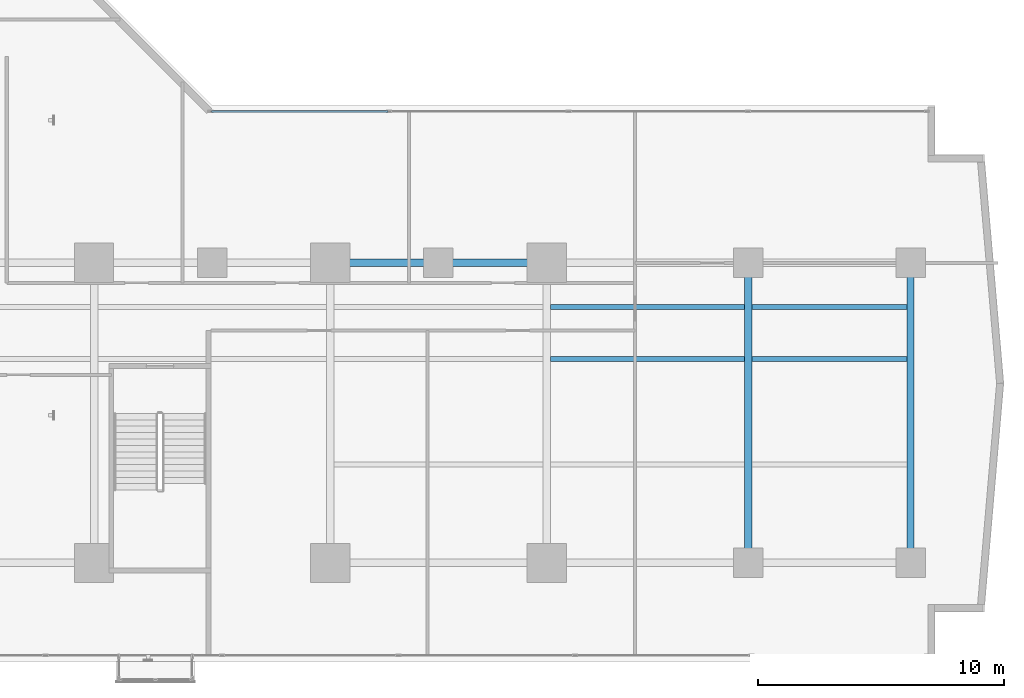
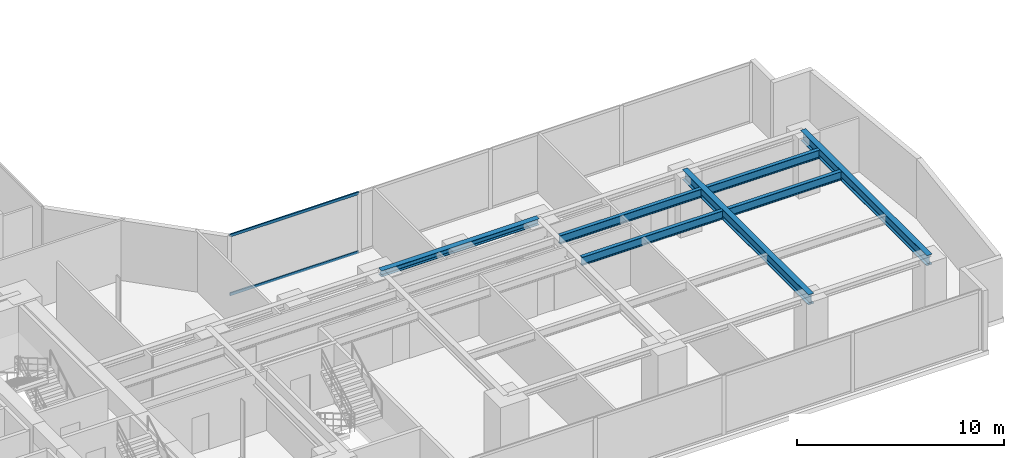
# One storey, part 12 of 26: 7 beams, 2 members, 1 element without a shape of its own.
"""IFC4 building model written with IfcOpenShell, lengths in metres."""

import ifcopenshell
import ifcopenshell.guid

model = None  # the IFC model being written
_history = None  # IfcOwnerHistory: only IFC2X3 demands one
_inside = {}  # id of a spatial element -> (the spatial element, [elements in it])
_under = {}  # id of a project, library or spatial element -> (it, [spatial elements below it])
_declared = {}  # id of a project -> (the project, [libraries it declares])
_typed = {}  # id of a type object -> (the type object, [elements of that type])
_made_of = {}  # id of a material, layer set ... -> (it, [elements and type objects made of it])


def new_model(schema):
    """Start an empty IFC model of exactly this schema.

    Asked for "IFC4X3", IfcOpenShell would pick the latest addendum, in which some entities
    have other attributes; the version numbers below select the first issue.
    IFC2X3 requires an IfcOwnerHistory on every rooted entity: one is made here for all.
    """
    global model, _history
    if schema == "IFC4X3":
        model = ifcopenshell.file(schema_version=(4, 3, 0, 0))
    else:
        model = ifcopenshell.file(schema=schema)
    _inside.clear()
    _under.clear()
    _declared.clear()
    _typed.clear()
    _made_of.clear()
    _history = None
    if model.schema == "IFC2X3":
        org = make("IfcOrganization", Name="unknown")
        user = make(
            "IfcPersonAndOrganization",
            ThePerson=make("IfcPerson", FamilyName="unknown"),
            TheOrganization=org,
        )
        app = make(
            "IfcApplication",
            ApplicationDeveloper=org,
            Version="unknown",
            ApplicationFullName="unknown",
            ApplicationIdentifier="unknown",
        )
        _history = make(
            "IfcOwnerHistory",
            OwningUser=user,
            OwningApplication=app,
            ChangeAction="ADDED",
            CreationDate=0,
        )
    return model


def make(cls, **values):
    """One entity of the class cls with the attributes given. An attribute that is None is left unset."""
    return model.create_entity(
        cls, **{name: value for name, value in values.items() if value is not None}
    )


def rooted(cls, **values):
    """An entity with a GlobalId (a new one), such as an element, a storey or a relation."""
    return make(cls, GlobalId=ifcopenshell.guid.new(), OwnerHistory=_history, **values)


def si_unit(unit_type, name, prefix=None):
    """IfcSIUnit, for example si_unit("LENGTHUNIT", "METRE", prefix="MILLI")."""
    return make("IfcSIUnit", UnitType=unit_type, Prefix=prefix, Name=name)


def assignment(units):
    """IfcUnitAssignment: the units of a project."""
    return None if units is None else make("IfcUnitAssignment", Units=units)


def point(xyz):
    """IfcCartesianPoint."""
    return None if xyz is None else make("IfcCartesianPoint", Coordinates=xyz)


def direction(xyz):
    """IfcDirection."""
    return None if xyz is None else make("IfcDirection", DirectionRatios=xyz)


def frame(location, z_axis=None, x_axis=None):
    """IfcAxis2Placement3D, a coordinate frame: its origin and axes. An axis left out is left unset."""
    return make(
        "IfcAxis2Placement3D",
        Location=point(location),
        Axis=direction(z_axis),
        RefDirection=direction(x_axis),
    )


def frame_2d(location, x_axis=None):
    """IfcAxis2Placement2D, a coordinate frame in the plane: its origin and x axis."""
    return make(
        "IfcAxis2Placement2D", Location=point(location), RefDirection=direction(x_axis)
    )


def origin():
    """The frame at (0, 0, 0) with its axes left unset."""
    return frame((0.0, 0.0, 0.0))


def origin_with_axes():
    """The frame at (0, 0, 0) with the z axis (0, 0, 1) and the x axis (1, 0, 0) written out."""
    return frame((0.0, 0.0, 0.0), z_axis=(0.0, 0.0, 1.0), x_axis=(1.0, 0.0, 0.0))


def origin_2d():
    """The frame at (0, 0) in the plane with its x axis left unset."""
    return frame_2d((0.0, 0.0))


def place(relative_to, where):
    """IfcLocalPlacement: puts the frame where relative to a parent placement (None: the world)."""
    return make(
        "IfcLocalPlacement", PlacementRelTo=relative_to, RelativePlacement=where
    )


def context(
    kind, dimensions, precision=None, world=None, true_north=None, identifier=None
):
    """IfcGeometricRepresentationContext, for example the 3D "Model" context."""
    return make(
        "IfcGeometricRepresentationContext",
        ContextIdentifier=identifier,
        ContextType=kind,
        CoordinateSpaceDimension=dimensions,
        Precision=precision,
        WorldCoordinateSystem=world,
        TrueNorth=true_north,
    )


def subcontext(parent, identifier, kind, view, scale=None):
    """IfcGeometricRepresentationSubContext, for example "Body" below "Model"."""
    return make(
        "IfcGeometricRepresentationSubContext",
        ContextIdentifier=identifier,
        ContextType=kind,
        ParentContext=parent,
        TargetScale=scale,
        TargetView=view,
    )


def project(units=None, contexts=None):
    """IfcProject with its units and contexts."""
    return rooted(
        "IfcProject",
        Name="project",
        RepresentationContexts=contexts,
        UnitsInContext=assignment(units),
    )


def spatial(cls, under=None, at=None, **own):
    """A site, building, storey or space (cls), placed at a placement, below another one or the project."""
    s = rooted(cls, ObjectPlacement=at, **own)
    if under is not None:
        _under.setdefault(under.id(), (under, []))[1].append(s)
    return s


def profile(cls, at=None, kind="AREA", **sizes):
    """A parametric profile (cls). Its sizes go by their IFC names, for example OverallWidth=200.0."""
    return make(cls, ProfileType=kind, Position=at, **sizes)


def hollow_rectangle(**sizes):
    """IfcRectangleHollowProfileDef."""
    return profile("IfcRectangleHollowProfileDef", **sizes)


def i_section(**sizes):
    """IfcIShapeProfileDef."""
    return profile("IfcIShapeProfileDef", **sizes)


def extrude(swept, where, along, depth):
    """IfcExtrudedAreaSolid: the profile swept, set in the frame where, extruded along a direction by depth."""
    return make(
        "IfcExtrudedAreaSolid",
        SweptArea=swept,
        Position=where,
        ExtrudedDirection=direction(along),
        Depth=depth,
    )


def shape(context_of_items, identifier, shape_type, items):
    """IfcShapeRepresentation: the items that make up one representation, for example the "Body"."""
    return make(
        "IfcShapeRepresentation",
        ContextOfItems=context_of_items,
        RepresentationIdentifier=identifier,
        RepresentationType=shape_type,
        Items=items,
    )


def source(mapping_origin, context_of_items, identifier, shape_type, items):
    """IfcRepresentationMap: a shape defined once, which mapped items show again and again."""
    return make(
        "IfcRepresentationMap",
        MappingOrigin=mapping_origin,
        MappedRepresentation=shape(context_of_items, identifier, shape_type, items),
    )


def transform(
    local_origin,
    x_axis=None,
    y_axis=None,
    z_axis=None,
    scale=None,
    scale2=None,
    scale3=None,
    uniform=True,
):
    """IfcCartesianTransformationOperator3D, or its non-uniform kind. x_axis, y_axis, z_axis: its Axis1, 2, 3."""
    if uniform:
        return make(
            "IfcCartesianTransformationOperator3D",
            Axis1=direction(x_axis),
            Axis2=direction(y_axis),
            LocalOrigin=point(local_origin),
            Scale=scale,
            Axis3=direction(z_axis),
        )
    return make(
        "IfcCartesianTransformationOperator3DnonUniform",
        Axis1=direction(x_axis),
        Axis2=direction(y_axis),
        LocalOrigin=point(local_origin),
        Scale=scale,
        Axis3=direction(z_axis),
        Scale2=scale2,
        Scale3=scale3,
    )


def mapped(mapping_source, mapping_target):
    """IfcMappedItem: shows the shape of a source again, moved by a transform."""
    return make(
        "IfcMappedItem", MappingSource=mapping_source, MappingTarget=mapping_target
    )


def material(Name=None, Category=None):
    """IfcMaterial."""
    return make("IfcMaterial", Name=Name, Category=Category)


def layer(
    of_material, thickness, ventilated=None, Name=None, Category=None, Priority=None
):
    """IfcMaterialLayer: one layer of a wall or slab, of a material (None: an air gap)."""
    return make(
        "IfcMaterialLayer",
        Material=of_material,
        LayerThickness=thickness,
        IsVentilated=ventilated,
        Name=Name,
        Category=Category,
        Priority=Priority,
    )


def layer_set(layers, Name=None):
    """IfcMaterialLayerSet."""
    return make("IfcMaterialLayerSet", MaterialLayers=layers, LayerSetName=Name)


def material_profile(
    of_material, cross_section, Name=None, Category=None, Priority=None
):
    """IfcMaterialProfile: a cross section and its material."""
    return make(
        "IfcMaterialProfile",
        Name=Name,
        Material=of_material,
        Profile=cross_section,
        Priority=Priority,
        Category=Category,
    )


def profile_set(profiles, Name=None, composite=None):
    """IfcMaterialProfileSet."""
    return make(
        "IfcMaterialProfileSet",
        Name=Name,
        MaterialProfiles=profiles,
        CompositeProfile=composite,
    )


def made_of(thing, what):
    """Note that an element or type object is made of a material, layer set ...; save() writes the relation."""
    if what is not None:
        _made_of.setdefault(what.id(), (what, []))[1].append(thing)
    return thing


def type_object(cls, material=None, **own):
    """A type object (cls), such as IfcWallType, which elements share."""
    return made_of(rooted(cls, **own), material)


def element(
    cls,
    number,
    at=None,
    inside=None,
    cuts=None,
    type_object=None,
    material=None,
    context=None,
    identifier="Body",
    shape_type=None,
    held_by="IfcProductDefinitionShape",
    body=None,
    shapes=None,
    **own,
):
    """One element of the class cls, such as IfcWall. Its Tag is "e" and its number.

    at: its placement. inside: the storey or other place that contains it. cuts: it is an
    opening in that element (IfcRelVoidsElement). A single representation is given by context,
    identifier, shape_type and body (its items); several are given by shapes. held_by: the class
    of the entity that holds the representations. save() writes the other relations.
    """
    e = rooted(cls, Tag="e%d" % number, ObjectPlacement=at, **own)
    if body is not None:
        shapes = [shape(context, identifier, shape_type, body)]
    if shapes is not None:
        e.Representation = make(held_by, Representations=shapes)
    if inside is not None:
        _inside.setdefault(inside.id(), (inside, []))[1].append(e)
    if cuts is not None:
        rooted(
            "IfcRelVoidsElement", RelatingBuildingElement=cuts, RelatedOpeningElement=e
        )
    if type_object is not None:
        _typed.setdefault(type_object.id(), (type_object, []))[1].append(e)
    return made_of(e, material)


def aggregate(whole, parts):
    """IfcRelAggregates: a whole, such as a stair, and the parts it consists of."""
    return rooted("IfcRelAggregates", RelatingObject=whole, RelatedObjects=parts)


def save(model, path):
    """Write the relations noted so far, then the file.

    IfcRelAggregates (storeys below a building ...), IfcRelContainedInSpatialStructure (elements
    in a storey), IfcRelDefinesByType, IfcRelAssociatesMaterial and IfcRelDeclares: one each for
    every whole, place, type object, material and project.
    """
    for whole, parts in _under.values():
        aggregate(whole, parts)
    for where, things in _inside.values():
        rooted(
            "IfcRelContainedInSpatialStructure",
            RelatedElements=things,
            RelatingStructure=where,
        )
    for kind, things in _typed.values():
        rooted("IfcRelDefinesByType", RelatedObjects=things, RelatingType=kind)
    for what, things in _made_of.values():
        rooted("IfcRelAssociatesMaterial", RelatedObjects=things, RelatingMaterial=what)
    for by, libraries in _declared.values():
        rooted("IfcRelDeclares", RelatingContext=by, RelatedDefinitions=libraries)
    model.write(path)


model = new_model("IFC4")

# Units and contexts
model_context = context("Model", 3, precision=1e-05, world=origin(), true_north=direction((0.0, 1.0)))
body_context = subcontext(model_context, "Body", "Model", "MODEL_VIEW")
ifc_project = project(units=[si_unit("LENGTHUNIT", "METRE"), si_unit("AREAUNIT", "SQUARE_METRE"), si_unit("VOLUMEUNIT", "CUBIC_METRE"), si_unit("PLANEANGLEUNIT", "RADIAN"), si_unit("MASSUNIT", "GRAM", prefix="KILO")], contexts=[model_context])

# Site, building, storey
site_placement = place(None, origin())
site = spatial("IfcSite", under=ifc_project, at=site_placement, CompositionType="ELEMENT")
building_placement = place(site_placement, origin())
building = spatial("IfcBuilding", under=site, at=building_placement, Name="Kolvaren Waterfront Exchange", CompositionType="ELEMENT")
storey_placement = place(building_placement, frame((0.0, 0.0, 48.60009765625)))
storey = spatial("IfcBuildingStorey", under=building, at=storey_placement, Name="L12", CompositionType="ELEMENT", Elevation=48.60009765625)

# Beams
ifc_material_1 = material(Name="Steel S355", Category="steel")
ifc_material_profile_1 = material_profile(ifc_material_1, i_section(OverallWidth=0.300048828125, OverallDepth=0.360107421875, WebThickness=0.012451171875, FlangeThickness=0.0224609375, FilletRadius=0.027099609375, at=origin_2d()), Name="HEB360")
ifc_profile_set_1 = profile_set([ifc_material_profile_1], Name="Steel S355")
beam_type_1 = type_object("IfcBeamType", Name="STR-BM-HEB360", PredefinedType="SPANDREL", material=ifc_profile_set_1)
beam_placement = place(storey_placement, frame((36.800048828125, 17.39990234375, 3.35986328125), z_axis=(1.0, 0.0, 0.0), x_axis=(0.0, 1.0, 0.0)))
element("IfcBeam", 1, at=beam_placement, inside=storey, type_object=beam_type_1, Name="L12 east-arm spandrel N3", PredefinedType="SPANDREL", context=body_context, shape_type="SweptSolid", body=[
    extrude(i_section(OverallWidth=0.300048828125, OverallDepth=0.360107421875, WebThickness=0.012451171875, FlangeThickness=0.0224609375, FilletRadius=0.027099609375, at=origin_2d()), origin(), (0.0, 0.0, 1.0), 8.800048828125),
])
ifc_material_profile_2 = material_profile(ifc_material_1, i_section(OverallWidth=0.300048828125, OverallDepth=0.60009765625, WebThickness=0.015380859375, FlangeThickness=0.030029296875, FilletRadius=0.027099609375, at=origin_2d()), Name="HEB600")
ifc_profile_set_2 = profile_set([ifc_material_profile_2], Name="Steel S355")
beam_type_2 = type_object("IfcBeamType", Name="STR-BM-HEB600", PredefinedType="BEAM", material=ifc_profile_set_2)
for number, where, z_axis, x_axis, name in (
    (2, (53.800048828125, 5.199951171875, 3.239990234375), (0.0, 1.0, 0.0), (-1.0, 0.0, 0.0), "L12 east-arm transverse girder X53"),
    (3, (60.39990234375, 5.199951171875, 3.239990234375), (0.0, 1.0, 0.0), (-1.0, 0.0, 0.0), "L12 east-arm transverse girder X60"),
):
    element("IfcBeam", number, at=place(storey_placement, frame(where, z_axis=z_axis, x_axis=x_axis)), inside=storey, type_object=beam_type_2, Name=name, PredefinedType="BEAM", context=body_context, shape_type="SweptSolid", body=[
        extrude(i_section(OverallWidth=0.300048828125, OverallDepth=0.60009765625, WebThickness=0.015380859375, FlangeThickness=0.030029296875, FilletRadius=0.027099609375, at=origin_2d()), origin(), (0.0, 0.0, 1.0), 12.199951171875),
    ])
ifc_material_profile_3 = material_profile(ifc_material_1, i_section(OverallWidth=0.199951171875, OverallDepth=0.5, WebThickness=0.01025390625, FlangeThickness=0.01611328125, FilletRadius=0.02099609375, at=origin_2d()), Name="IPE500")
ifc_profile_set_3 = profile_set([ifc_material_profile_3], Name="Steel S355")
beam_type_3 = type_object("IfcBeamType", Name="STR-BM-IPE500", PredefinedType="JOIST", material=ifc_profile_set_3)
for number, where, z_axis, x_axis, name in (
    (4, (45.751953125, 13.5, 3.289794921875), (1.0, 0.0, 0.0), (0.0, 1.0, 0.0), "L12 east-arm composite joist 4A"),
    (5, (45.751953125, 15.60009765625, 3.289794921875), (1.0, 0.0, 0.0), (0.0, 1.0, 0.0), "L12 east-arm composite joist 4C"),
):
    element("IfcBeam", number, at=place(storey_placement, frame(where, z_axis=z_axis, x_axis=x_axis)), inside=storey, type_object=beam_type_3, Name=name, PredefinedType="JOIST", context=body_context, shape_type="SweptSolid", body=[
        extrude(i_section(OverallWidth=0.199951171875, OverallDepth=0.5, WebThickness=0.01025390625, FlangeThickness=0.01611328125, FilletRadius=0.02099609375, at=origin_2d()), origin(), (0.0, 0.0, 1.0), 7.89599609375),
    ])
for number, where, z_axis, x_axis, name in (
    (6, (53.951904296875, 13.5, 3.289794921875), (1.0, 0.0, 0.0), (0.0, 1.0, 0.0), "L12 east-arm composite joist 5A"),
    (7, (53.951904296875, 15.60009765625, 3.289794921875), (1.0, 0.0, 0.0), (0.0, 1.0, 0.0), "L12 east-arm composite joist 5C"),
):
    element("IfcBeam", number, at=place(storey_placement, frame(where, z_axis=z_axis, x_axis=x_axis)), inside=storey, type_object=beam_type_3, Name=name, PredefinedType="JOIST", context=body_context, shape_type="SweptSolid", body=[
        extrude(i_section(OverallWidth=0.199951171875, OverallDepth=0.5, WebThickness=0.01025390625, FlangeThickness=0.01611328125, FilletRadius=0.02099609375, at=origin_2d()), origin(), (0.0, 0.0, 1.0), 6.296142578125),
    ])

# Curtain wall, members
ifc_material_2 = material(Name="Anodised bronze aluminium 6063-T6", Category="aluminium")
ifc_layer = layer(ifc_material_2, 0.219970703125, Name="Anodised bronze aluminium 6063-T6")
ifc_layer_set = layer_set([ifc_layer], Name="Anodised bronze aluminium 6063-T6")
curtain_wall_type = type_object("IfcCurtainWallType", Name="ARC-CW-SYS1", PredefinedType="USERDEFINED", material=ifc_layer_set)
curtain_wall_placement = place(storey_placement, origin())
curtain_wall = element("IfcCurtainWall", 8, at=curtain_wall_placement, inside=storey, type_object=curtain_wall_type, Name="L12 stick curtain wall CW1 (CW-L12-EN)", ObjectType="STICK CURTAIN WALL", PredefinedType="USERDEFINED")
ifc_material_3 = material(Name="Anodised aluminium 6063-T6", Category="aluminium")
ifc_material_profile_4 = material_profile(ifc_material_3, hollow_rectangle(XDim=0.074951171875, YDim=0.159912109375, WallThickness=0.00439453125, at=origin_2d()), Name="ALU-TRN-160x75x4.5")
ifc_profile_set_4 = profile_set([ifc_material_profile_4], Name="Anodised aluminium 6063-T6")
member_type = type_object("IfcMemberType", Name="ARC-CWT-160", PredefinedType="USERDEFINED", material=ifc_profile_set_4)
shared_shape = source(origin_with_axes(), body_context, "Body", "SweptSolid", [
    extrude(hollow_rectangle(XDim=0.074951171875, YDim=0.159912109375, WallThickness=0.00439453125, at=origin_2d()), origin(), (0.0, 0.0, 1.0), 7.1826171875),
])
member_1_placement = place(storey_placement, frame((31.969970703125, 23.56005859375, 0.037353515625), z_axis=(1.0, 0.0, 0.0), x_axis=(0.0, 1.0, 0.0)))
member_1 = element("IfcMember", 9, at=member_1_placement, type_object=member_type, Name="CW1 transom 1.1", ObjectType="TRANSOM", PredefinedType="USERDEFINED", context=body_context, shape_type="MappedRepresentation", body=[
    mapped(shared_shape, transform((0.0, 0.0, 0.0), x_axis=(1.0, 0.0, 0.0), y_axis=(0.0, 1.0, 0.0), z_axis=(0.0, 0.0, 1.0), scale=1.0)),
])
member_2_placement = place(storey_placement, frame((31.969970703125, 23.56005859375, 3.50244140625), z_axis=(1.0, 0.0, 0.0), x_axis=(0.0, 1.0, 0.0)))
member_2 = element("IfcMember", 10, at=member_2_placement, type_object=member_type, Name="CW1 transom 1.2", ObjectType="TRANSOM", PredefinedType="USERDEFINED", context=body_context, shape_type="MappedRepresentation", body=[
    mapped(shared_shape, transform((0.0, 0.0, 0.0), x_axis=(1.0, 0.0, 0.0), y_axis=(0.0, 1.0, 0.0), z_axis=(0.0, 0.0, 1.0), scale=1.0)),
])
aggregate(curtain_wall, [member_1, member_2])

save(model, "model.ifc")
